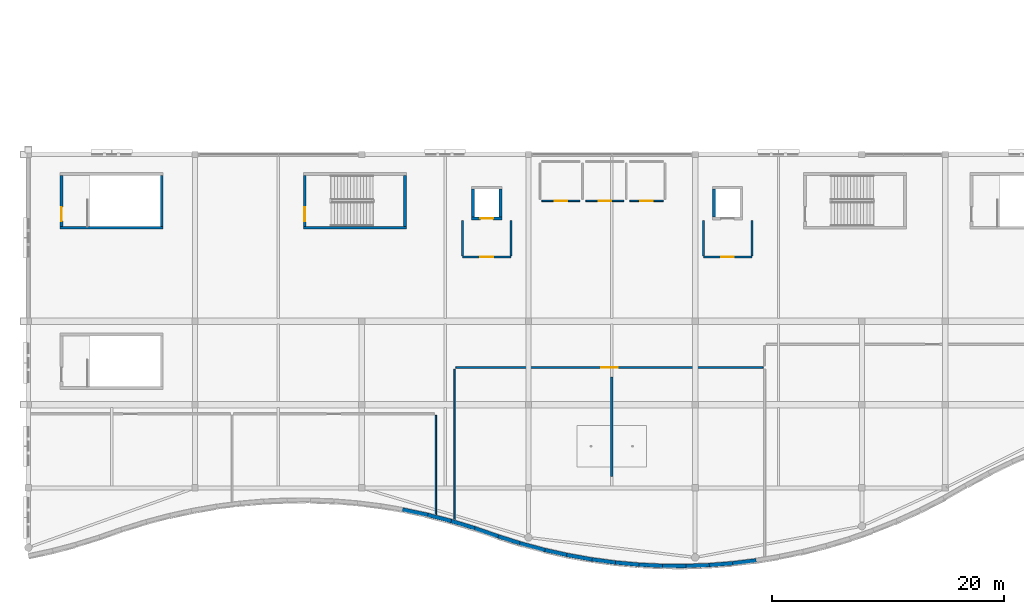
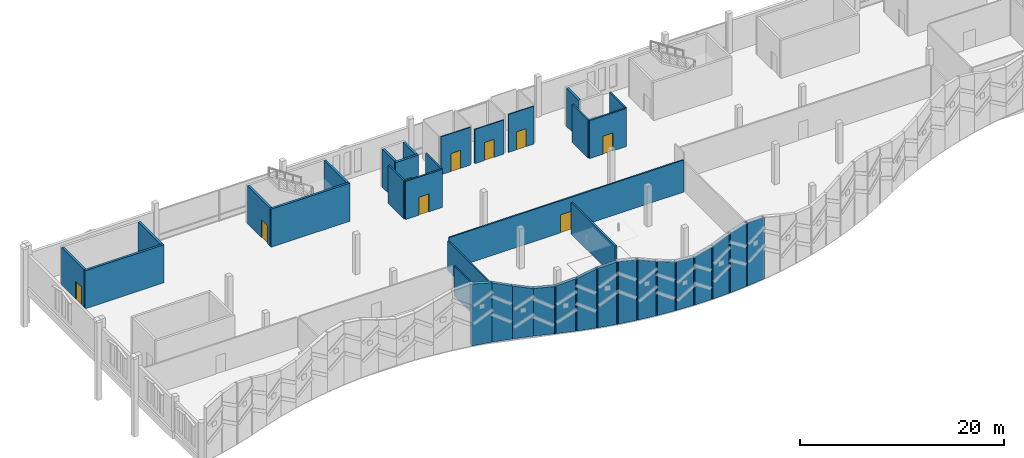
# One storey, part 83 of 116: 38 walls, 9 doors, 9 openings.
"""IFC4 building model written with IfcOpenShell, lengths in metres."""

from ifc_helpers import new_model, si_unit, direction, frame, frame_2d, origin, place, context, subcontext, project, spatial, polyline, rectangle, outline, extrude, material, layer, layer_set, type_object, element, fill, save


model = new_model("IFC4")

# Units and contexts
model_context = context("Model", 3, precision=1e-05, world=origin(), true_north=direction((0.0, 1.0)))
body_context = subcontext(model_context, "Body", "Model", "MODEL_VIEW")
ifc_project = project(units=[si_unit("LENGTHUNIT", "METRE"), si_unit("AREAUNIT", "SQUARE_METRE"), si_unit("VOLUMEUNIT", "CUBIC_METRE"), si_unit("PLANEANGLEUNIT", "RADIAN"), si_unit("MASSUNIT", "GRAM", prefix="KILO")], contexts=[model_context])

# Site, building, storey
site_placement = place(None, origin())
site = spatial("IfcSite", under=ifc_project, at=site_placement, CompositionType="ELEMENT")
building_placement = place(site_placement, origin())
building = spatial("IfcBuilding", under=site, at=building_placement, Name="Cendralis Lancet Convention Centre", CompositionType="ELEMENT")
storey_placement = place(building_placement, frame((0.0, 0.0, 15.0)))
storey = spatial("IfcBuildingStorey", under=building, at=storey_placement, Name="L03", CompositionType="ELEMENT", Elevation=15.0)

# Walls
ifc_material_1 = material(Name="Buff sandstone ashlar and Concrete G40 (C40/50)", Category="masonry")
ifc_layer_1 = layer(ifc_material_1, 0.340087890625, Name="Buff sandstone ashlar and Concrete G40 (C40/50)")
ifc_layer_set_1 = layer_set([ifc_layer_1], Name="Buff sandstone ashlar and Concrete G40 (C40/50)")
wall_type_1 = type_object("IfcWallType", Name="ARC-EW-W340", PredefinedType="STANDARD", material=ifc_layer_set_1)
wall_1_placement = place(storey_placement, frame((32.32080078125, 5.32763671875, 0.0), z_axis=(0.0, 0.0, 1.0), x_axis=(0.97818986033, -0.2077127756, 0.0)))
element("IfcWall", 1, at=wall_1_placement, inside=storey, type_object=wall_type_1, Name="South Boulevard Wave Crest Wall L03 WP-017-WP-018", PredefinedType="STANDARD", context=body_context, shape_type="SweptSolid", body=[
    extrude(outline(polyline([(0.0, 0.0), (2.240234375, 0.0), (2.239990234375, 7.05615234375), (0.0, 7.419677734375), (0.0, 0.0)])), frame((0.0, 0.169921875, 0.0), z_axis=(0.0, -1.0, 0.0), x_axis=(1.0, 0.0, 0.0)), (0.0, 0.0, 1.0), 0.340087890625),
])
wall_2_placement = place(storey_placement, frame((34.3466796875, 4.901123046875, 0.0), z_axis=(0.0, 0.0, 1.0), x_axis=(0.968370793585, -0.249515542867, 0.0)))
element("IfcWall", 2, at=wall_2_placement, inside=storey, type_object=wall_type_1, Name="South Boulevard Wave Crest Wall L03 WP-018-WP-019", PredefinedType="STANDARD", context=body_context, shape_type="SweptSolid", body=[
    extrude(outline(polyline([(0.0, 0.0), (2.26123046875, 0.0), (2.26123046875, 6.272216796875), (0.0, 7.1083984375), (0.0, 0.0)])), frame((0.0, 0.169921875, 0.0), z_axis=(0.0, -1.0, 0.0), x_axis=(1.0, 0.0, 0.0)), (0.0, 0.0, 1.0), 0.340087890625),
])
wall_3_placement = place(storey_placement, frame((36.372802734375, 4.3828125, 0.0), z_axis=(0.0, 0.0, 1.0), x_axis=(0.956434397386, -0.291947330006, 0.0)))
element("IfcWall", 3, at=wall_3_placement, inside=storey, type_object=wall_type_1, Name="South Boulevard Wave Crest Wall L03 WP-019-WP-020", PredefinedType="STANDARD", context=body_context, shape_type="SweptSolid", body=[
    extrude(outline(polyline([(0.0, 0.0), (2.287109375, 0.0), (2.287109375, 5.649169921875), (0.0, 6.337890625), (0.0, 0.0)])), frame((0.0, 0.169921875, 0.0), z_axis=(0.0, -1.0, 0.0), x_axis=(1.0, 0.0, 0.0)), (0.0, 0.0, 1.0), 0.340087890625),
])
wall_4_placement = place(storey_placement, frame((38.398681640625, 3.767822265625, 0.0), z_axis=(0.0, 0.0, 1.0), x_axis=(0.944599198261, -0.328226072464, 0.0)))
element("IfcWall", 4, at=wall_4_placement, inside=storey, type_object=wall_type_1, Name="South Boulevard Wave Crest Wall L03 WP-020-WP-021", PredefinedType="STANDARD", context=body_context, shape_type="SweptSolid", body=[
    extrude(outline(polyline([(0.0, 0.0), (2.314697265625, 0.0), (2.314697265625, 5.650390625), (0.0, 5.6796875), (0.0, 0.0)])), frame((0.0, 0.169921875, 0.0), z_axis=(0.0, -1.0, 0.0), x_axis=(1.0, 0.0, 0.0)), (0.0, 0.0, 1.0), 0.340087890625),
])
wall_5_placement = place(storey_placement, frame((40.424072265625, 3.061767578125, 0.0), z_axis=(0.0, 0.0, 1.0), x_axis=(0.953087731767, -0.302694194784, 0.0)))
element("IfcWall", 5, at=wall_5_placement, inside=storey, type_object=wall_type_1, Name="South Boulevard Wave Crest Wall L03 WP-021-WP-022", PredefinedType="STANDARD", context=body_context, shape_type="SweptSolid", body=[
    extrude(outline(polyline([(0.0, 0.0), (2.294677734375, 0.0), (2.294677734375, 6.282958984375), (0.0, 5.623779296875), (0.0, 0.0)])), frame((0.0, 0.169921875, 0.0), z_axis=(0.0, -1.0, 0.0), x_axis=(1.0, 0.0, 0.0)), (0.0, 0.0, 1.0), 0.340087890625),
])
wall_6_placement = place(storey_placement, frame((42.447998046875, 2.415283203125, 0.0), z_axis=(0.0, 0.0, 1.0), x_axis=(0.965377316221, -0.26085750387, 0.0)))
element("IfcWall", 6, at=wall_6_placement, inside=storey, type_object=wall_type_1, Name="South Boulevard Wave Crest Wall L03 WP-022-WP-023", PredefinedType="STANDARD", context=body_context, shape_type="SweptSolid", body=[
    extrude(outline(polyline([(0.0, 0.0), (2.267822265625, 0.0), (2.267578125, 7.092529296875), (0.0, 6.21728515625), (0.0, 0.0)])), frame((0.0, 0.169921875, 0.0), z_axis=(0.0, -1.0, 0.0), x_axis=(1.0, 0.0, 0.0)), (0.0, 0.0, 1.0), 0.340087890625),
])
wall_7_placement = place(storey_placement, frame((44.47216796875, 1.864501953125, 0.0), z_axis=(0.0, 0.0, 1.0), x_axis=(0.975886725663, -0.218277572541, 0.0)))
element("IfcWall", 7, at=wall_7_placement, inside=storey, type_object=wall_type_1, Name="South Boulevard Wave Crest Wall L03 WP-023-WP-024", PredefinedType="STANDARD", context=body_context, shape_type="SweptSolid", body=[
    extrude(outline(polyline([(0.0, 0.0), (2.244873046875, 0.0), (2.2451171875, 7.494140625), (0.0, 7.034912109375), (0.0, 0.0)])), frame((0.0, 0.169921875, 0.0), z_axis=(0.0, -1.0, 0.0), x_axis=(1.0, 0.0, 0.0)), (0.0, 0.0, 1.0), 0.340087890625),
])
wall_8_placement = place(storey_placement, frame((46.496337890625, 1.407958984375, 0.0), z_axis=(0.0, 0.0, 1.0), x_axis=(0.984319043851, -0.17639733533, 0.0)))
element("IfcWall", 8, at=wall_8_placement, inside=storey, type_object=wall_type_1, Name="South Boulevard Wave Crest Wall L03 WP-024-WP-025", PredefinedType="STANDARD", context=body_context, shape_type="SweptSolid", body=[
    extrude(outline(polyline([(0.0, 0.0), (2.228271484375, 0.0), (2.228271484375, 7.201416015625), (0.0, 7.486572265625), (0.0, 0.0)])), frame((0.0, 0.169921875, 0.0), z_axis=(0.0, -1.0, 0.0), x_axis=(1.0, 0.0, 0.0)), (0.0, 0.0, 1.0), 0.340087890625),
])
wall_9_placement = place(storey_placement, frame((48.521728515625, 1.04150390625, 0.0), z_axis=(0.0, 0.0, 1.0), x_axis=(0.991022475508, -0.133695374033, 0.0)))
element("IfcWall", 9, at=wall_9_placement, inside=storey, type_object=wall_type_1, Name="South Boulevard Wave Crest Wall L03 WP-025-WP-026", PredefinedType="STANDARD", context=body_context, shape_type="SweptSolid", body=[
    extrude(outline(polyline([(0.0, 0.0), (2.213134765625, 0.0), (2.21337890625, 6.43701171875), (0.0, 7.25), (0.0, 0.0)])), frame((0.0, 0.169921875, 0.0), z_axis=(0.0, -1.0, 0.0), x_axis=(1.0, 0.0, 0.0)), (0.0, 0.0, 1.0), 0.340087890625),
])
wall_10_placement = place(storey_placement, frame((50.54638671875, 0.764892578125, 0.0), z_axis=(0.0, 0.0, 1.0), x_axis=(0.995762309329, -0.091964250222, 0.0)))
element("IfcWall", 10, at=wall_10_placement, inside=storey, type_object=wall_type_1, Name="South Boulevard Wave Crest Wall L03 WP-026-WP-027", PredefinedType="STANDARD", context=body_context, shape_type="SweptSolid", body=[
    extrude(outline(polyline([(0.0, 0.0), (2.203369140625, 0.0), (2.20361328125, 5.767578125), (0.0, 6.505615234375), (0.0, 0.0)])), frame((0.0, 0.169921875, 0.0), z_axis=(0.0, -1.0, 0.0), x_axis=(1.0, 0.0, 0.0)), (0.0, 0.0, 1.0), 0.340087890625),
])
wall_11_placement = place(storey_placement, frame((52.571044921875, 0.57421875, 0.0), z_axis=(0.0, 0.0, 1.0), x_axis=(0.998760636529, -0.049771386559, 0.0)))
element("IfcWall", 11, at=wall_11_placement, inside=storey, type_object=wall_type_1, Name="South Boulevard Wave Crest Wall L03 WP-027-WP-028", PredefinedType="STANDARD", context=body_context, shape_type="SweptSolid", body=[
    extrude(outline(polyline([(0.0, 0.0), (2.197509765625, 0.0), (2.197509765625, 5.691162109375), (0.0, 5.8056640625), (0.0, 0.0)])), frame((0.0, 0.169921875, 0.0), z_axis=(0.0, -1.0, 0.0), x_axis=(1.0, 0.0, 0.0)), (0.0, 0.0, 1.0), 0.340087890625),
])
wall_12_placement = place(storey_placement, frame((54.595947265625, 0.469482421875, 0.0), z_axis=(0.0, 0.0, 1.0), x_axis=(0.999976224925, -0.006895620726, 0.0)))
element("IfcWall", 12, at=wall_12_placement, inside=storey, type_object=wall_type_1, Name="South Boulevard Wave Crest Wall L03 WP-028-WP-029", PredefinedType="STANDARD", context=body_context, shape_type="SweptSolid", body=[
    extrude(outline(polyline([(0.0, 0.0), (2.195068359375, 0.0), (2.195068359375, 6.270751953125), (0.0, 5.669677734375), (0.0, 0.0)])), frame((0.0, 0.169921875, 0.0), z_axis=(0.0, -1.0, 0.0), x_axis=(1.0, 0.0, 0.0)), (0.0, 0.0, 1.0), 0.340087890625),
])
wall_13_placement = place(storey_placement, frame((56.62109375, 0.4521484375, 0.0), z_axis=(0.0, 0.0, 1.0), x_axis=(0.999406527119, 0.034446967246, 0.0)))
element("IfcWall", 13, at=wall_13_placement, inside=storey, type_object=wall_type_1, Name="South Boulevard Wave Crest Wall L03 WP-029-WP-030", PredefinedType="STANDARD", context=body_context, shape_type="SweptSolid", body=[
    extrude(outline(polyline([(0.0, 0.0), (2.197021484375, 0.0), (2.197021484375, 7.0908203125), (0.0, 6.20458984375), (0.0, 0.0)])), frame((0.0, 0.169921875, 0.0), z_axis=(0.0, -1.0, 0.0), x_axis=(1.0, 0.0, 0.0)), (0.0, 0.0, 1.0), 0.340087890625),
])
wall_14_placement = place(storey_placement, frame((58.647216796875, 0.5185546875, 0.0), z_axis=(0.0, 0.0, 1.0), x_axis=(0.997049916485, 0.076755872979, 0.0)))
element("IfcWall", 14, at=wall_14_placement, inside=storey, type_object=wall_type_1, Name="South Boulevard Wave Crest Wall L03 WP-030-WP-031", PredefinedType="STANDARD", context=body_context, shape_type="SweptSolid", body=[
    extrude(outline(polyline([(0.0, 0.0), (2.201171875, 0.0), (2.200927734375, 7.558837890625), (0.0, 7.028076171875), (0.0, 0.0)])), frame((0.0, 0.169921875, 0.0), z_axis=(0.0, -1.0, 0.0), x_axis=(1.0, 0.0, 0.0)), (0.0, 0.0, 1.0), 0.340087890625),
])
wall_15_placement = place(storey_placement, frame((60.672607421875, 0.6708984375, 0.0), z_axis=(0.0, 0.0, 1.0), x_axis=(0.992815540245, 0.119654933239, 0.0)))
element("IfcWall", 15, at=wall_15_placement, inside=storey, type_object=wall_type_1, Name="South Boulevard Wave Crest Wall L03 WP-031-WP-032", PredefinedType="STANDARD", context=body_context, shape_type="SweptSolid", body=[
    extrude(outline(polyline([(0.0, 0.0), (2.209716796875, 0.0), (2.209716796875, 7.3408203125), (0.0, 7.544677734375), (0.0, 0.0)])), frame((0.0, 0.169921875, 0.0), z_axis=(0.0, -1.0, 0.0), x_axis=(1.0, 0.0, 0.0)), (0.0, 0.0, 1.0), 0.340087890625),
])

# Wall, opening, door
ifc_material_2 = material(Name="Acoustic fire-rated gypsum board on steel studs", Category="steel")
ifc_layer_2 = layer(ifc_material_2, 0.1201171875, Name="Acoustic fire-rated gypsum board on steel studs")
ifc_layer_set_2 = layer_set([ifc_layer_2], Name="Acoustic fire-rated gypsum board on steel studs")
wall_type_2 = type_object("IfcWallType", Name="ARC-IW-P120", PredefinedType="PARTITIONING", material=ifc_layer_set_2)
wall_16_placement = place(storey_placement, frame((44.35009765625, 32.0, 0.0), z_axis=(0.0, 0.0, 1.0), x_axis=(1.0, 0.0, 0.0)))
wall_16 = element("IfcWall", 16, at=wall_16_placement, inside=storey, type_object=wall_type_2, Name="L03 Interior Partition IW-05 #0296", PredefinedType="PARTITIONING", context=body_context, shape_type="SweptSolid", body=[
    extrude(rectangle(XDim=3.2998046875, YDim=0.1201171875, at=frame_2d((1.64990234375, 0.0))), origin(), (0.0, 0.0, 1.0), 4.534912109375),
])
opening_1_placement = place(wall_16_placement, frame((1.10009765625, 0.0, 0.0)))
opening_1 = element("IfcOpeningElement", 17, at=opening_1_placement, cuts=wall_16, Name="Opening FD-11", PredefinedType="OPENING", context=body_context, shape_type="SweptSolid", body=[
    extrude(rectangle(XDim=1.10009765625, YDim=2.14990234375, at=frame_2d((0.550048828125, 1.074951171875))), frame((0.0, 0.070068359375, 0.0), z_axis=(0.0, -1.0, 0.0), x_axis=(1.0, 0.0, 0.0)), (0.0, 0.0, 1.0), 0.14013671875),
])
ifc_material_3 = material(Name="Steel S355", Category="steel")
door_type_1 = type_object("IfcDoorType", Name="ARC-DR-FF11", OperationType="NOTDEFINED", PredefinedType="DOOR", material=ifc_material_3)
door_1_placement = place(opening_1_placement, origin())
door_1 = element("IfcDoor", 18, at=door_1_placement, inside=storey, type_object=door_type_1, Name="L03-D018 L03 Interior Door FD-11 #0098", OperationType="SINGLE_SWING_RIGHT", OverallHeight=2.14990234375, OverallWidth=1.10009765625, PredefinedType="DOOR", context=body_context, shape_type="SweptSolid", body=[
    extrude(rectangle(XDim=1.10009765625, YDim=2.14990234375, at=frame_2d((0.550048828125, 1.074951171875))), frame((0.0, 0.02490234375, 0.0), z_axis=(0.0, -1.0, 0.0), x_axis=(1.0, 0.0, 0.0)), (0.0, 0.0, 1.0), 0.050048828125),
])
fill(opening_1, door_1)

wall_17_placement = place(storey_placement, frame((48.14990234375, 32.0, 0.0), z_axis=(0.0, 0.0, 1.0), x_axis=(1.0, 0.0, 0.0)))
wall_17 = element("IfcWall", 19, at=wall_17_placement, inside=storey, type_object=wall_type_2, Name="L03 Interior Partition IW-05 #0300", PredefinedType="PARTITIONING", context=body_context, shape_type="SweptSolid", body=[
    extrude(rectangle(XDim=3.300048828125, YDim=0.1201171875, at=frame_2d((1.64990234375, 0.0))), origin(), (0.0, 0.0, 1.0), 4.0849609375),
])
opening_2_placement = place(wall_17_placement, frame((1.10009765625, 0.0, 0.0)))
opening_2 = element("IfcOpeningElement", 20, at=opening_2_placement, cuts=wall_17, Name="Opening FD-11", PredefinedType="OPENING", context=body_context, shape_type="SweptSolid", body=[
    extrude(rectangle(XDim=1.10009765625, YDim=2.14990234375, at=frame_2d((0.550048828125, 1.074951171875))), frame((0.0, 0.070068359375, 0.0), z_axis=(0.0, -1.0, 0.0), x_axis=(1.0, 0.0, 0.0)), (0.0, 0.0, 1.0), 0.14013671875),
])
door_2_placement = place(opening_2_placement, frame((1.10009765625, 0.0, 0.0), z_axis=(0.0, 0.0, 1.0), x_axis=(-1.0, 0.0, 0.0)))
door_2 = element("IfcDoor", 21, at=door_2_placement, inside=storey, type_object=door_type_1, Name="L03-D019 L03 Interior Door FD-11 #0099", OperationType="SINGLE_SWING_LEFT", OverallHeight=2.14990234375, OverallWidth=1.10009765625, PredefinedType="DOOR", context=body_context, shape_type="SweptSolid", body=[
    extrude(rectangle(XDim=1.10009765625, YDim=2.14990234375, at=frame_2d((0.550048828125, 1.074951171875))), frame((0.0, 0.02490234375, 0.0), z_axis=(0.0, -1.0, 0.0), x_axis=(1.0, 0.0, 0.0)), (0.0, 0.0, 1.0), 0.050048828125),
])
fill(opening_2, door_2)

wall_18_placement = place(storey_placement, frame((51.949951171875, 32.0, 0.0), z_axis=(0.0, 0.0, 1.0), x_axis=(1.0, 0.0, 0.0)))
wall_18 = element("IfcWall", 22, at=wall_18_placement, inside=storey, type_object=wall_type_2, Name="L03 Interior Partition IW-05 #0303", PredefinedType="PARTITIONING", context=body_context, shape_type="SweptSolid", body=[
    extrude(rectangle(XDim=2.900146484375, YDim=0.1201171875, at=frame_2d((1.4501953125, 0.0))), origin(), (0.0, 0.0, 1.0), 4.534912109375),
])
opening_3_placement = place(wall_18_placement, frame((0.89990234375, 0.0, 0.0)))
opening_3 = element("IfcOpeningElement", 23, at=opening_3_placement, cuts=wall_18, Name="Opening FD-11", PredefinedType="OPENING", context=body_context, shape_type="SweptSolid", body=[
    extrude(rectangle(XDim=1.10009765625, YDim=2.14990234375, at=frame_2d((0.550048828125, 1.074951171875))), frame((0.0, 0.070068359375, 0.0), z_axis=(0.0, -1.0, 0.0), x_axis=(1.0, 0.0, 0.0)), (0.0, 0.0, 1.0), 0.14013671875),
])
door_3_placement = place(opening_3_placement, origin())
door_3 = element("IfcDoor", 24, at=door_3_placement, inside=storey, type_object=door_type_1, Name="L03-D020 L03 Interior Door FD-11 #0100", OperationType="SINGLE_SWING_RIGHT", OverallHeight=2.14990234375, OverallWidth=1.10009765625, PredefinedType="DOOR", context=body_context, shape_type="SweptSolid", body=[
    extrude(rectangle(XDim=1.10009765625, YDim=2.14990234375, at=frame_2d((0.550048828125, 1.074951171875))), frame((0.0, 0.02490234375, 0.0), z_axis=(0.0, -1.0, 0.0), x_axis=(1.0, 0.0, 0.0)), (0.0, 0.0, 1.0), 0.050048828125),
])
fill(opening_3, door_3)

# Walls
ifc_layer_3 = layer(ifc_material_2, 0.139892578125, Name="Acoustic fire-rated gypsum board on steel studs")
ifc_layer_set_3 = layer_set([ifc_layer_3], Name="Acoustic fire-rated gypsum board on steel studs")
wall_type_3 = type_object("IfcWallType", Name="ARC-IW-P140", PredefinedType="PARTITIONING", material=ifc_layer_set_3)
wall_19_placement = place(storey_placement, frame((35.199951171875, 4.882568359375, 0.0), z_axis=(0.0, 0.0, 1.0), x_axis=(0.0, 1.0, 0.0)))
element("IfcWall", 25, at=wall_19_placement, inside=storey, type_object=wall_type_3, Name="L03 Interior Partition IW-04 #0285", PredefinedType="PARTITIONING", context=body_context, shape_type="SweptSolid", body=[
    extrude(rectangle(XDim=8.577392578125, YDim=0.139892578125, at=frame_2d((4.28857421875, 0.0))), origin(), (0.0, 0.0, 1.0), 3.56494140625),
])
wall_20_placement = place(storey_placement, frame((36.800048828125, 4.449462890625, 0.0), z_axis=(0.0, 0.0, 1.0), x_axis=(0.0, 1.0, 0.0)))
element("IfcWall", 26, at=wall_20_placement, inside=storey, type_object=wall_type_3, Name="L03 Interior Partition IW-04 #0286", PredefinedType="PARTITIONING", context=body_context, shape_type="SweptSolid", body=[
    extrude(rectangle(XDim=13.010498046875, YDim=0.139892578125, at=frame_2d((6.50537109375, 0.0))), origin(), (0.0, 0.0, 1.0), 3.56494140625),
])

# Wall, opening, door
ifc_layer_4 = layer(ifc_material_2, 0.159912109375, Name="Acoustic fire-rated gypsum board on steel studs")
ifc_layer_set_4 = layer_set([ifc_layer_4], Name="Acoustic fire-rated gypsum board on steel studs")
wall_type_4 = type_object("IfcWallType", Name="ARC-IW-P160", PredefinedType="PARTITIONING", material=ifc_layer_set_4)
wall_21_placement = place(storey_placement, frame((36.93994140625, 17.60009765625, 0.0), z_axis=(0.0, 0.0, 1.0), x_axis=(1.0, 0.0, 0.0)))
wall_21 = element("IfcWall", 27, at=wall_21_placement, inside=storey, type_object=wall_type_4, Name="L03 Interior Partition IW-03 #0287", PredefinedType="PARTITIONING", context=body_context, shape_type="SweptSolid", body=[
    extrude(rectangle(XDim=26.52001953125, YDim=0.159912109375, at=frame_2d((13.260009765625, 0.0))), origin(), (0.0, 0.0, 1.0), 3.8349609375),
])
opening_4_placement = place(wall_21_placement, frame((12.56005859375, 0.0, 0.0)))
opening_4 = element("IfcOpeningElement", 28, at=opening_4_placement, cuts=wall_21, Name="Opening ID-14", PredefinedType="OPENING", context=body_context, shape_type="SweptSolid", body=[
    extrude(rectangle(XDim=1.39990234375, YDim=2.14990234375, at=frame_2d((0.699951171875, 1.074951171875))), frame((0.0, 0.08984375, 0.0), z_axis=(0.0, -1.0, 0.0), x_axis=(1.0, 0.0, 0.0)), (0.0, 0.0, 1.0), 0.179931640625),
])
ifc_material_4 = material(Name="Acoustic Chilean lenga timber and steel fire leaf", Category="steel")
door_type_2 = type_object("IfcDoorType", Name="ARC-DR-DB14", OperationType="NOTDEFINED", PredefinedType="DOOR", material=ifc_material_4)
door_4_placement = place(opening_4_placement, frame((1.39990234375, 0.0, 0.0), z_axis=(0.0, 0.0, 1.0), x_axis=(-1.0, 0.0, 0.0)))
door_4 = element("IfcDoor", 29, at=door_4_placement, inside=storey, type_object=door_type_2, Name="L03-D015 L03 Interior Door ID-14 #0095", OperationType="DOUBLE_DOOR_SINGLE_SWING", OverallHeight=2.14990234375, OverallWidth=1.39990234375, PredefinedType="DOOR", context=body_context, shape_type="SweptSolid", body=[
    extrude(rectangle(XDim=1.39990234375, YDim=2.14990234375, at=frame_2d((0.699951171875, 1.074951171875))), frame((0.0, 0.02490234375, 0.0), z_axis=(0.0, -1.0, 0.0), x_axis=(1.0, 0.0, 0.0)), (0.0, 0.0, 1.0), 0.050048828125),
])
fill(opening_4, door_4)

ifc_layer_5 = layer(ifc_material_2, 0.179931640625, Name="Acoustic fire-rated gypsum board on steel studs")
ifc_layer_set_5 = layer_set([ifc_layer_5], Name="Acoustic fire-rated gypsum board on steel studs")
wall_type_5 = type_object("IfcWallType", Name="ARC-IW-P180", PredefinedType="PARTITIONING", material=ifc_layer_set_5)
wall_22_placement = place(storey_placement, frame((41.699951171875, 27.14990234375, 0.0), z_axis=(0.0, 0.0, 1.0), x_axis=(-1.0, 0.0, 0.0)))
wall_22 = element("IfcWall", 30, at=wall_22_placement, inside=storey, type_object=wall_type_5, Name="L03 Lift Lobby LP-03 Front Wall", PredefinedType="PARTITIONING", context=body_context, shape_type="SweptSolid", body=[
    extrude(rectangle(XDim=4.199951171875, YDim=0.179931640625, at=frame_2d((2.10009765625, 0.0))), origin(), (0.0, 0.0, 1.0), 4.550048828125),
])
opening_5_placement = place(wall_22_placement, frame((1.550048828125, 0.0, 0.0)))
opening_5 = element("IfcOpeningElement", 31, at=opening_5_placement, cuts=wall_22, Name="Opening FD-11", PredefinedType="OPENING", context=body_context, shape_type="SweptSolid", body=[
    extrude(rectangle(XDim=1.10009765625, YDim=2.14990234375, at=frame_2d((0.550048828125, 1.074951171875))), frame((0.0, 0.099853515625, 0.0), z_axis=(0.0, -1.0, 0.0), x_axis=(1.0, 0.0, 0.0)), (0.0, 0.0, 1.0), 0.199951171875),
])
door_5_placement = place(opening_5_placement, origin())
door_5 = element("IfcDoor", 32, at=door_5_placement, inside=storey, type_object=door_type_1, Name="L03-D045 L03 Lift Lobby LP-03 Fire Door", OperationType="SINGLE_SWING_LEFT", OverallHeight=2.14990234375, OverallWidth=1.10009765625, PredefinedType="DOOR", context=body_context, shape_type="SweptSolid", body=[
    extrude(rectangle(XDim=1.10009765625, YDim=2.14990234375, at=frame_2d((0.550048828125, 1.074951171875))), frame((0.0, 0.02490234375, 0.0), z_axis=(0.0, -1.0, 0.0), x_axis=(1.0, 0.0, 0.0)), (0.0, 0.0, 1.0), 0.050048828125),
])
fill(opening_5, door_5)

# Walls
for number, where, z_axis, x_axis, name in (
    (33, (37.5, 27.25, 0.0), (0.0, 0.0, 1.0), (0.0, 1.0, 0.0), "L03 Lift Lobby LP-03 West Wall"),
    (34, (41.699951171875, 27.25, 0.0), (0.0, 0.0, 1.0), (0.0, 1.0, 0.0), "L03 Lift Lobby LP-03 East Wall"),
):
    element("IfcWall", number, at=place(storey_placement, frame(where, z_axis=z_axis, x_axis=x_axis)), inside=storey, type_object=wall_type_5, Name=name, PredefinedType="PARTITIONING", context=body_context, shape_type="SweptSolid", body=[
        extrude(rectangle(XDim=3.050048828125, YDim=0.179931640625, at=frame_2d((1.52490234375, 0.0))), origin(), (0.0, 0.0, 1.0), 4.550048828125),
    ])

# Wall, opening, door
wall_23_placement = place(storey_placement, frame((62.5, 27.14990234375, 0.0), z_axis=(0.0, 0.0, 1.0), x_axis=(-1.0, 0.0, 0.0)))
wall_23 = element("IfcWall", 35, at=wall_23_placement, inside=storey, type_object=wall_type_5, Name="L03 Lift Lobby LP-04 Front Wall", PredefinedType="PARTITIONING", context=body_context, shape_type="SweptSolid", body=[
    extrude(rectangle(XDim=4.199951171875, YDim=0.179931640625, at=frame_2d((2.10009765625, 0.0))), origin(), (0.0, 0.0, 1.0), 4.550048828125),
])
opening_6_placement = place(wall_23_placement, frame((1.550048828125, 0.0, 0.0)))
opening_6 = element("IfcOpeningElement", 36, at=opening_6_placement, cuts=wall_23, Name="Opening FD-11", PredefinedType="OPENING", context=body_context, shape_type="SweptSolid", body=[
    extrude(rectangle(XDim=1.10009765625, YDim=2.14990234375, at=frame_2d((0.550048828125, 1.074951171875))), frame((0.0, 0.099853515625, 0.0), z_axis=(0.0, -1.0, 0.0), x_axis=(1.0, 0.0, 0.0)), (0.0, 0.0, 1.0), 0.199951171875),
])
door_6_placement = place(opening_6_placement, origin())
door_6 = element("IfcDoor", 37, at=door_6_placement, inside=storey, type_object=door_type_1, Name="L03-D046 L03 Lift Lobby LP-04 Fire Door", OperationType="SINGLE_SWING_RIGHT", OverallHeight=2.14990234375, OverallWidth=1.10009765625, PredefinedType="DOOR", context=body_context, shape_type="SweptSolid", body=[
    extrude(rectangle(XDim=1.10009765625, YDim=2.14990234375, at=frame_2d((0.550048828125, 1.074951171875))), frame((0.0, 0.02490234375, 0.0), z_axis=(0.0, -1.0, 0.0), x_axis=(1.0, 0.0, 0.0)), (0.0, 0.0, 1.0), 0.050048828125),
])
fill(opening_6, door_6)

# Walls
for number, where, z_axis, x_axis, name in (
    (38, (58.300048828125, 27.25, 0.0), (0.0, 0.0, 1.0), (0.0, 1.0, 0.0), "L03 Lift Lobby LP-04 West Wall"),
    (39, (62.5, 27.25, 0.0), (0.0, 0.0, 1.0), (0.0, 1.0, 0.0), "L03 Lift Lobby LP-04 East Wall"),
):
    element("IfcWall", number, at=place(storey_placement, frame(where, z_axis=z_axis, x_axis=x_axis)), inside=storey, type_object=wall_type_5, Name=name, PredefinedType="PARTITIONING", context=body_context, shape_type="SweptSolid", body=[
        extrude(rectangle(XDim=3.050048828125, YDim=0.179931640625, at=frame_2d((1.52490234375, 0.0))), origin(), (0.0, 0.0, 1.0), 4.550048828125),
    ])
ifc_material_5 = material(Name="Motorised acoustic operable panel system")
ifc_layer_6 = layer(ifc_material_5, 0.195068359375, Name="Motorised acoustic operable panel system")
ifc_layer_set_6 = layer_set([ifc_layer_6], Name="Motorised acoustic operable panel system")
wall_type_6 = type_object("IfcWallType", Name="ARC-MW-MV195", PredefinedType="MOVABLE", material=ifc_layer_set_6)
wall_24_placement = place(storey_placement, frame((50.39990234375, 8.199951171875, 0.0), z_axis=(0.0, 0.0, 1.0), x_axis=(0.0, 1.0, 0.0)))
element("IfcWall", 40, at=wall_24_placement, inside=storey, type_object=wall_type_6, Name="L03 Operable Acoustic Partition MW-02 #08", PredefinedType="MOVABLE", context=body_context, shape_type="SweptSolid", body=[
    extrude(rectangle(XDim=8.60009765625, YDim=0.195068359375, at=frame_2d((4.300048828125, 0.0))), origin(), (0.0, 0.0, 1.0), 3.784912109375),
])

# Wall, opening, door
ifc_material_6 = material(Name="Concrete G40 (C40/50)", Category="concrete")
ifc_layer_7 = layer(ifc_material_6, 0.25, Name="Concrete G40 (C40/50)")
ifc_layer_set_7 = layer_set([ifc_layer_7], Name="Concrete G40 (C40/50)")
wall_type_7 = type_object("IfcWallType", Name="STR-SW-CW250", PredefinedType="SHEAR", material=ifc_layer_set_7)
wall_25_placement = place(storey_placement, frame((23.875, 29.800048828125, 0.0), z_axis=(0.0, 0.0, 1.0), x_axis=(0.0, 1.0, 0.0)))
wall_25 = element("IfcWall", 41, at=wall_25_placement, inside=storey, type_object=wall_type_7, Name="L03 Stair Core ST-11 West Shear Wall", PredefinedType="SHEAR", context=body_context, shape_type="SweptSolid", body=[
    extrude(rectangle(XDim=4.3798828125, YDim=0.25, at=frame_2d((2.18994140625, 0.0))), origin(), (0.0, 0.0, 1.0), 4.550048828125),
])
opening_7_placement = place(wall_25_placement, frame((0.449951171875, 0.0, 0.0)))
opening_7 = element("IfcOpeningElement", 42, at=opening_7_placement, cuts=wall_25, Name="Opening SD-12", PredefinedType="OPENING", context=body_context, shape_type="SweptSolid", body=[
    extrude(rectangle(XDim=1.199951171875, YDim=2.14990234375, at=frame_2d((0.60009765625, 1.074951171875))), frame((0.0, 0.135009765625, 0.0), z_axis=(0.0, -1.0, 0.0), x_axis=(1.0, 0.0, 0.0)), (0.0, 0.0, 1.0), 0.27001953125),
])
door_type_3 = type_object("IfcDoorType", Name="ARC-DR-ST12", OperationType="NOTDEFINED", PredefinedType="DOOR", material=ifc_material_3)
door_7_placement = place(opening_7_placement, frame((1.199951171875, 0.0, 0.0), z_axis=(0.0, 0.0, 1.0), x_axis=(-1.0, 0.0, 0.0)))
door_7 = element("IfcDoor", 43, at=door_7_placement, inside=storey, type_object=door_type_3, Name="L03-D055 L03 Exit Stair ST-11 Fire Door", OperationType="SINGLE_SWING_RIGHT", OverallHeight=2.14990234375, OverallWidth=1.199951171875, PredefinedType="DOOR", context=body_context, shape_type="SweptSolid", body=[
    extrude(rectangle(XDim=1.199951171875, YDim=2.14990234375, at=frame_2d((0.60009765625, 1.074951171875))), frame((0.0, 0.02490234375, 0.0), z_axis=(0.0, -1.0, 0.0), x_axis=(1.0, 0.0, 0.0)), (0.0, 0.0, 1.0), 0.050048828125),
])
fill(opening_7, door_7)

# Walls
wall_26_placement = place(storey_placement, frame((32.52490234375, 29.800048828125, 0.0), z_axis=(0.0, 0.0, 1.0), x_axis=(0.0, 1.0, 0.0)))
element("IfcWall", 44, at=wall_26_placement, inside=storey, type_object=wall_type_7, Name="L03 Stair Core ST-11 East Shear Wall", PredefinedType="SHEAR", context=body_context, shape_type="SweptSolid", body=[
    extrude(rectangle(XDim=4.3798828125, YDim=0.25, at=frame_2d((2.18994140625, 0.0))), origin(), (0.0, 0.0, 1.0), 4.550048828125),
])
wall_27_placement = place(storey_placement, frame((23.75, 29.675048828125, 0.0), z_axis=(0.0, 0.0, 1.0), x_axis=(1.0, 0.0, 0.0)))
element("IfcWall", 45, at=wall_27_placement, inside=storey, type_object=wall_type_7, Name="L03 Stair Core ST-11 South Shear Wall", PredefinedType="SHEAR", context=body_context, shape_type="SweptSolid", body=[
    extrude(rectangle(XDim=8.89990234375, YDim=0.25, at=frame_2d((4.449951171875, 0.0))), origin(), (0.0, 0.0, 1.0), 4.550048828125),
])

# Wall, opening, door
wall_28_placement = place(storey_placement, frame((2.875, 29.800048828125, 0.0), z_axis=(0.0, 0.0, 1.0), x_axis=(0.0, 1.0, 0.0)))
wall_28 = element("IfcWall", 46, at=wall_28_placement, inside=storey, type_object=wall_type_7, Name="L03 Stair Core ST-20 West Shear Wall", PredefinedType="SHEAR", context=body_context, shape_type="SweptSolid", body=[
    extrude(rectangle(XDim=4.3798828125, YDim=0.25, at=frame_2d((2.18994140625, 0.0))), origin(), (0.0, 0.0, 1.0), 4.550048828125),
])
opening_8_placement = place(wall_28_placement, frame((0.449951171875, 0.0, 0.0)))
opening_8 = element("IfcOpeningElement", 47, at=opening_8_placement, cuts=wall_28, Name="Opening SD-12", PredefinedType="OPENING", context=body_context, shape_type="SweptSolid", body=[
    extrude(rectangle(XDim=1.199951171875, YDim=2.14990234375, at=frame_2d((0.60009765625, 1.074951171875))), frame((0.0, 0.135009765625, 0.0), z_axis=(0.0, -1.0, 0.0), x_axis=(1.0, 0.0, 0.0)), (0.0, 0.0, 1.0), 0.27001953125),
])
door_8_placement = place(opening_8_placement, frame((1.199951171875, 0.0, 0.0), z_axis=(0.0, 0.0, 1.0), x_axis=(-1.0, 0.0, 0.0)))
door_8 = element("IfcDoor", 48, at=door_8_placement, inside=storey, type_object=door_type_3, Name="L03-D063 L03 Exit Stair ST-20 Fire Door", OperationType="SINGLE_SWING_LEFT", OverallHeight=2.14990234375, OverallWidth=1.199951171875, PredefinedType="DOOR", context=body_context, shape_type="SweptSolid", body=[
    extrude(rectangle(XDim=1.199951171875, YDim=2.14990234375, at=frame_2d((0.60009765625, 1.074951171875))), frame((0.0, 0.02490234375, 0.0), z_axis=(0.0, -1.0, 0.0), x_axis=(1.0, 0.0, 0.0)), (0.0, 0.0, 1.0), 0.050048828125),
])
fill(opening_8, door_8)

# Walls
wall_29_placement = place(storey_placement, frame((11.52490234375, 29.800048828125, 0.0), z_axis=(0.0, 0.0, 1.0), x_axis=(0.0, 1.0, 0.0)))
element("IfcWall", 49, at=wall_29_placement, inside=storey, type_object=wall_type_7, Name="L03 Stair Core ST-20 East Shear Wall", PredefinedType="SHEAR", context=body_context, shape_type="SweptSolid", body=[
    extrude(rectangle(XDim=4.3798828125, YDim=0.25, at=frame_2d((2.18994140625, 0.0))), origin(), (0.0, 0.0, 1.0), 4.550048828125),
])
wall_30_placement = place(storey_placement, frame((2.75, 29.675048828125, 0.0), z_axis=(0.0, 0.0, 1.0), x_axis=(1.0, 0.0, 0.0)))
element("IfcWall", 50, at=wall_30_placement, inside=storey, type_object=wall_type_7, Name="L03 Stair Core ST-20 South Shear Wall", PredefinedType="SHEAR", context=body_context, shape_type="SweptSolid", body=[
    extrude(rectangle(XDim=8.89990234375, YDim=0.25, at=frame_2d((4.449951171875, 0.0))), origin(), (0.0, 0.0, 1.0), 4.550048828125),
])

# Wall, opening, door
wall_31_placement = place(storey_placement, frame((38.300048828125, 30.47509765625, 0.0), z_axis=(0.0, 0.0, 1.0), x_axis=(1.0, 0.0, 0.0)))
wall_31 = element("IfcWall", 51, at=wall_31_placement, inside=storey, type_object=wall_type_7, Name="L03 Lift LP-03 South Shaft Wall", PredefinedType="SHEAR", context=body_context, shape_type="SweptSolid", body=[
    extrude(rectangle(XDim=2.599853515625, YDim=0.25, at=frame_2d((1.2998046875, 0.0))), origin(), (0.0, 0.0, 1.0), 4.550048828125),
])
opening_9_placement = place(wall_31_placement, frame((0.75, 0.0, 0.0)))
opening_9 = element("IfcOpeningElement", 52, at=opening_9_placement, cuts=wall_31, Name="Opening LD-11", PredefinedType="OPENING", context=body_context, shape_type="SweptSolid", body=[
    extrude(rectangle(XDim=1.10009765625, YDim=2.14990234375, at=frame_2d((0.550048828125, 1.074951171875))), frame((0.0, 0.135009765625, 0.0), z_axis=(0.0, -1.0, 0.0), x_axis=(1.0, 0.0, 0.0)), (0.0, 0.0, 1.0), 0.27001953125),
])
ifc_material_7 = material(Name="Anodised bronze architectural aluminium", Category="aluminium")
door_type_4 = type_object("IfcDoorType", Name="ARC-DR-LD11", OperationType="NOTDEFINED", PredefinedType="DOOR", material=ifc_material_7)
door_9_placement = place(opening_9_placement, origin())
door_9 = element("IfcDoor", 53, at=door_9_placement, inside=storey, type_object=door_type_4, Name="L03-D034 L03 Lift LP-03 Sliding Landing Door", OperationType="SLIDING_TO_LEFT", OverallHeight=2.14990234375, OverallWidth=1.10009765625, PredefinedType="DOOR", context=body_context, shape_type="SweptSolid", body=[
    extrude(rectangle(XDim=1.10009765625, YDim=2.14990234375, at=frame_2d((0.550048828125, 1.074951171875))), frame((0.0, 0.02490234375, 0.0), z_axis=(0.0, -1.0, 0.0), x_axis=(1.0, 0.0, 0.0)), (0.0, 0.0, 1.0), 0.050048828125),
])
fill(opening_9, door_9)

# Walls
for number, where, z_axis, x_axis, name in (
    (54, (38.425048828125, 30.60009765625, 0.0), (0.0, 0.0, 1.0), (0.0, 1.0, 0.0), "L03 Lift LP-03 West Shaft Wall"),
    (55, (40.77490234375, 30.60009765625, 0.0), (0.0, 0.0, 1.0), (0.0, 1.0, 0.0), "L03 Lift LP-03 East Shaft Wall"),
    (56, (59.22509765625, 30.60009765625, 0.0), (0.0, 0.0, 1.0), (0.0, 1.0, 0.0), "L03 Lift LP-04 West Shaft Wall"),
):
    element("IfcWall", number, at=place(storey_placement, frame(where, z_axis=z_axis, x_axis=x_axis)), inside=storey, type_object=wall_type_7, Name=name, PredefinedType="SHEAR", context=body_context, shape_type="SweptSolid", body=[
        extrude(rectangle(XDim=2.39990234375, YDim=0.25, at=frame_2d((1.199951171875, 0.0))), origin(), (0.0, 0.0, 1.0), 4.550048828125),
    ])

save(model, "model.ifc")
